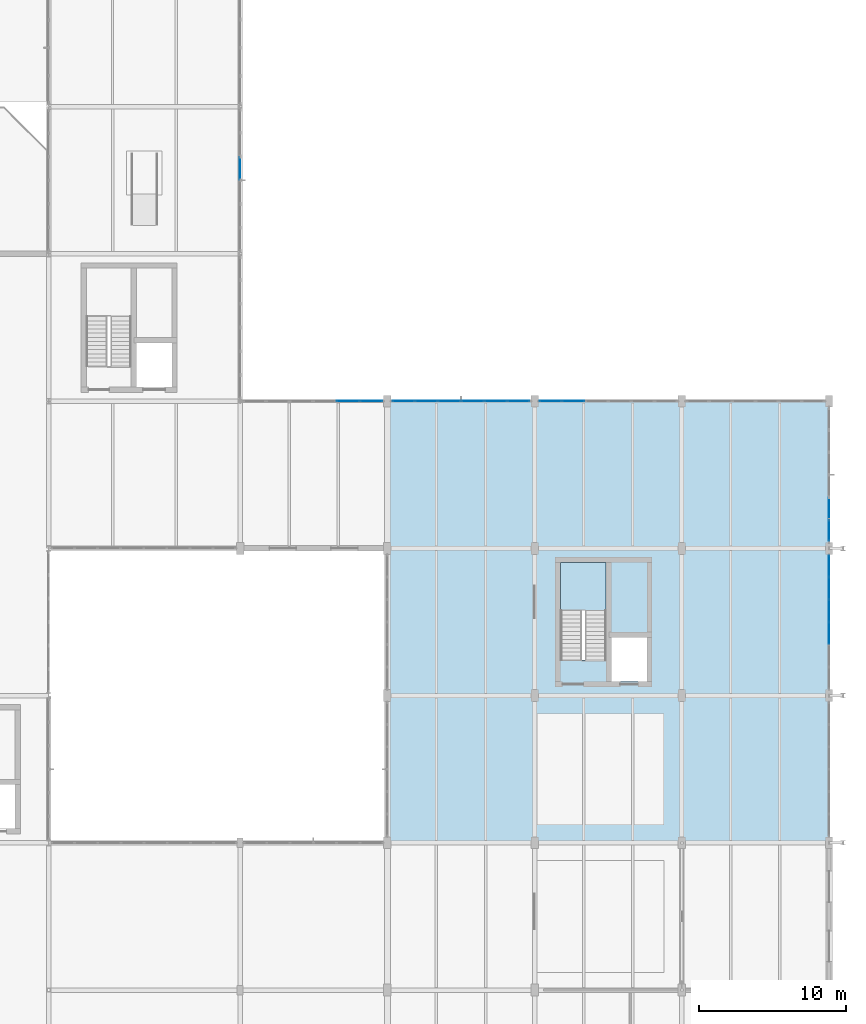
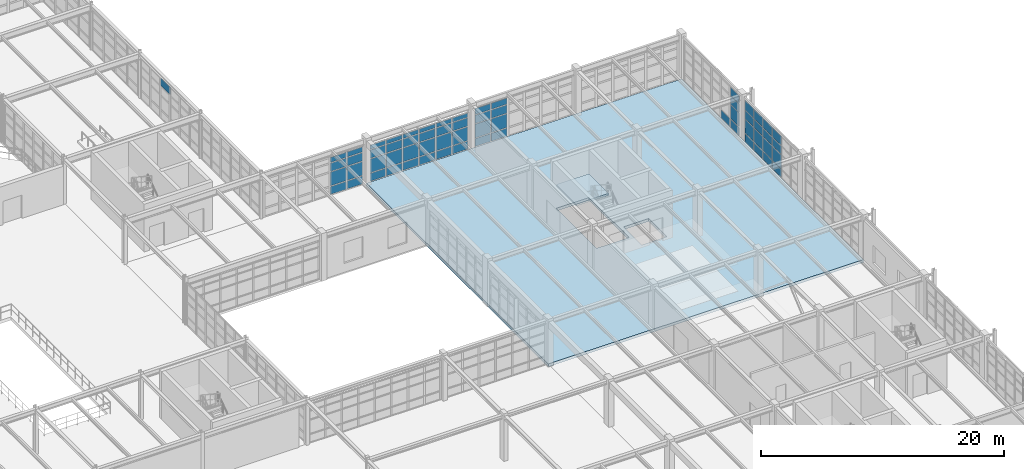
# One storey, part 102 of 139: 62 plates, 2 slabs, 7 elements without a shape of their own.
"""IFC4 building model written with IfcOpenShell, lengths in metres."""

from ifc_helpers import new_model, si_unit, direction, frame, origin, origin_2d, place, context, subcontext, project, spatial, polyline, rectangle, outline, extrude, material, layer, layer_set, type_object, element, aggregate, save


model = new_model("IFC4")

# Units and contexts
model_context = context("Model", 3, precision=1e-05, world=origin(), true_north=direction((0.0, 1.0)))
body_context = subcontext(model_context, "Body", "Model", "MODEL_VIEW")
ifc_project = project(units=[si_unit("LENGTHUNIT", "METRE"), si_unit("AREAUNIT", "SQUARE_METRE"), si_unit("VOLUMEUNIT", "CUBIC_METRE"), si_unit("PLANEANGLEUNIT", "RADIAN"), si_unit("MASSUNIT", "GRAM", prefix="KILO"), si_unit("THERMODYNAMICTEMPERATUREUNIT", "KELVIN"), si_unit("POWERUNIT", "WATT")], contexts=[model_context])

# Site, building, storey
site_placement = place(None, origin())
site = spatial("IfcSite", under=ifc_project, at=site_placement, CompositionType="ELEMENT")
building_placement = place(site_placement, origin())
building = spatial("IfcBuilding", under=site, at=building_placement, Name="Korenveer Ferry Terminal", CompositionType="ELEMENT")
storey_placement = place(building_placement, frame((0.0, 0.0, 5.39990234375)))
storey = spatial("IfcBuildingStorey", under=building, at=storey_placement, Name="L01", CompositionType="ELEMENT", Elevation=5.39990234375)

# Curtain wall, plates
ifc_material_1 = material(Name="Unitised bronze-and-glass curtain wall", Category="glass")
ifc_layer_1 = layer(ifc_material_1, 0.159912109375)
ifc_layer_set_1 = layer_set([ifc_layer_1], Name="Unitised bronze-and-glass curtain wall")
curtain_wall_type_1 = type_object("IfcCurtainWallType", Name="ENV-CW-81", PredefinedType="USERDEFINED", material=ifc_layer_set_1)
curtain_wall_1_placement = place(storey_placement, frame((176.0, 69.570068359375, 0.0)))
curtain_wall_1 = element("IfcCurtainWall", 1, at=curtain_wall_1_placement, inside=storey, type_object=curtain_wall_type_1, Name="Lancet curtain wall CWX-L01-X176-176-Y60-70", ObjectType="UNITISED CURTAIN WALL", PredefinedType="USERDEFINED")
ifc_material_2 = material(Name="Low-iron solar-control double glazing", Category="glass")
ifc_layer_2 = layer(ifc_material_2, 0.028076171875)
ifc_layer_set_2 = layer_set([ifc_layer_2], Name="Low-iron solar-control double glazing")
plate_type_1 = type_object("IfcPlateType", Name="ENV-CWP-GLZ28", PredefinedType="CURTAIN_PANEL", material=ifc_layer_set_2)
plate_1_placement = place(storey_placement, frame((176.0, 68.793212890625, 0.06005859375), z_axis=(0.0, 0.0, 1.0), x_axis=(0.0, -1.0, 0.0)))
plate_1 = element("IfcPlate", 2, at=plate_1_placement, type_object=plate_type_1, Name="CW-81 panel 1.1", PredefinedType="CURTAIN_PANEL", context=body_context, shape_type="SweptSolid", body=[
    extrude(rectangle(XDim=1.433349609375, YDim=0.028076171875, at=origin_2d()), origin(), (0.0, 0.0, 1.0), 0.81005859375),
])
plate_2_placement = place(storey_placement, frame((176.0, 68.793212890625, 0.93017578125), z_axis=(0.0, 0.0, 1.0), x_axis=(0.0, -1.0, 0.0)))
plate_2 = element("IfcPlate", 3, at=plate_2_placement, type_object=plate_type_1, Name="CW-81 panel 1.2", PredefinedType="CURTAIN_PANEL", context=body_context, shape_type="SweptSolid", body=[
    extrude(rectangle(XDim=1.433349609375, YDim=0.028076171875, at=origin_2d()), origin(), (0.0, 0.0, 1.0), 1.389892578125),
])
plate_3_placement = place(storey_placement, frame((176.0, 68.793212890625, 2.3798828125), z_axis=(0.0, 0.0, 1.0), x_axis=(0.0, -1.0, 0.0)))
plate_3 = element("IfcPlate", 4, at=plate_3_placement, type_object=plate_type_1, Name="CW-81 panel 1.3", PredefinedType="CURTAIN_PANEL", context=body_context, shape_type="SweptSolid", body=[
    extrude(rectangle(XDim=1.433349609375, YDim=0.028076171875, at=origin_2d()), origin(), (0.0, 0.0, 1.0), 0.840087890625),
])
plate_4_placement = place(storey_placement, frame((176.0, 68.793212890625, 3.2802734375), z_axis=(0.0, 0.0, 1.0), x_axis=(0.0, -1.0, 0.0)))
plate_4 = element("IfcPlate", 5, at=plate_4_placement, type_object=plate_type_1, Name="CW-81 panel 1.4", PredefinedType="CURTAIN_PANEL", context=body_context, shape_type="SweptSolid", body=[
    extrude(rectangle(XDim=1.433349609375, YDim=0.028076171875, at=origin_2d()), origin(), (0.0, 0.0, 1.0), 0.929931640625),
])
plate_5_placement = place(storey_placement, frame((176.0, 67.284912109375, 0.06005859375), z_axis=(0.0, 0.0, 1.0), x_axis=(0.0, -1.0, 0.0)))
plate_5 = element("IfcPlate", 6, at=plate_5_placement, type_object=plate_type_1, Name="CW-81 panel 2.1", PredefinedType="CURTAIN_PANEL", context=body_context, shape_type="SweptSolid", body=[
    extrude(rectangle(XDim=1.46337890625, YDim=0.028076171875, at=origin_2d()), origin(), (0.0, 0.0, 1.0), 0.81005859375),
])
plate_6_placement = place(storey_placement, frame((176.0, 67.284912109375, 0.93017578125), z_axis=(0.0, 0.0, 1.0), x_axis=(0.0, -1.0, 0.0)))
plate_6 = element("IfcPlate", 7, at=plate_6_placement, type_object=plate_type_1, Name="CW-81 panel 2.2", PredefinedType="CURTAIN_PANEL", context=body_context, shape_type="SweptSolid", body=[
    extrude(rectangle(XDim=1.46337890625, YDim=0.028076171875, at=origin_2d()), origin(), (0.0, 0.0, 1.0), 1.389892578125),
])
plate_7_placement = place(storey_placement, frame((176.0, 67.284912109375, 2.3798828125), z_axis=(0.0, 0.0, 1.0), x_axis=(0.0, -1.0, 0.0)))
plate_7 = element("IfcPlate", 8, at=plate_7_placement, type_object=plate_type_1, Name="CW-81 panel 2.3", PredefinedType="CURTAIN_PANEL", context=body_context, shape_type="SweptSolid", body=[
    extrude(rectangle(XDim=1.46337890625, YDim=0.028076171875, at=origin_2d()), origin(), (0.0, 0.0, 1.0), 0.840087890625),
])
plate_8_placement = place(storey_placement, frame((176.0, 67.284912109375, 3.2802734375), z_axis=(0.0, 0.0, 1.0), x_axis=(0.0, -1.0, 0.0)))
plate_8 = element("IfcPlate", 9, at=plate_8_placement, type_object=plate_type_1, Name="CW-81 panel 2.4", PredefinedType="CURTAIN_PANEL", context=body_context, shape_type="SweptSolid", body=[
    extrude(rectangle(XDim=1.46337890625, YDim=0.028076171875, at=origin_2d()), origin(), (0.0, 0.0, 1.0), 0.929931640625),
])
plate_9_placement = place(storey_placement, frame((176.0, 65.76171875, 0.06005859375), z_axis=(0.0, 0.0, 1.0), x_axis=(0.0, -1.0, 0.0)))
plate_9 = element("IfcPlate", 10, at=plate_9_placement, type_object=plate_type_1, Name="CW-81 panel 3.1", PredefinedType="CURTAIN_PANEL", context=body_context, shape_type="SweptSolid", body=[
    extrude(rectangle(XDim=1.46337890625, YDim=0.028076171875, at=origin_2d()), origin(), (0.0, 0.0, 1.0), 0.81005859375),
])
plate_10_placement = place(storey_placement, frame((176.0, 65.76171875, 0.93017578125), z_axis=(0.0, 0.0, 1.0), x_axis=(0.0, -1.0, 0.0)))
plate_10 = element("IfcPlate", 11, at=plate_10_placement, type_object=plate_type_1, Name="CW-81 panel 3.2", PredefinedType="CURTAIN_PANEL", context=body_context, shape_type="SweptSolid", body=[
    extrude(rectangle(XDim=1.46337890625, YDim=0.028076171875, at=origin_2d()), origin(), (0.0, 0.0, 1.0), 1.389892578125),
])
plate_11_placement = place(storey_placement, frame((176.0, 65.76171875, 2.3798828125), z_axis=(0.0, 0.0, 1.0), x_axis=(0.0, -1.0, 0.0)))
plate_11 = element("IfcPlate", 12, at=plate_11_placement, type_object=plate_type_1, Name="CW-81 panel 3.3", PredefinedType="CURTAIN_PANEL", context=body_context, shape_type="SweptSolid", body=[
    extrude(rectangle(XDim=1.46337890625, YDim=0.028076171875, at=origin_2d()), origin(), (0.0, 0.0, 1.0), 0.840087890625),
])
plate_12_placement = place(storey_placement, frame((176.0, 65.76171875, 3.2802734375), z_axis=(0.0, 0.0, 1.0), x_axis=(0.0, -1.0, 0.0)))
plate_12 = element("IfcPlate", 13, at=plate_12_placement, type_object=plate_type_1, Name="CW-81 panel 3.4", PredefinedType="CURTAIN_PANEL", context=body_context, shape_type="SweptSolid", body=[
    extrude(rectangle(XDim=1.46337890625, YDim=0.028076171875, at=origin_2d()), origin(), (0.0, 0.0, 1.0), 0.929931640625),
])
plate_13_placement = place(storey_placement, frame((176.0, 64.23828125, 0.06005859375), z_axis=(0.0, 0.0, 1.0), x_axis=(0.0, -1.0, 0.0)))
plate_13 = element("IfcPlate", 14, at=plate_13_placement, type_object=plate_type_1, Name="CW-81 panel 4.1", PredefinedType="CURTAIN_PANEL", context=body_context, shape_type="SweptSolid", body=[
    extrude(rectangle(XDim=1.46337890625, YDim=0.028076171875, at=origin_2d()), origin(), (0.0, 0.0, 1.0), 0.81005859375),
])
plate_14_placement = place(storey_placement, frame((176.0, 64.23828125, 0.93017578125), z_axis=(0.0, 0.0, 1.0), x_axis=(0.0, -1.0, 0.0)))
plate_14 = element("IfcPlate", 15, at=plate_14_placement, type_object=plate_type_1, Name="CW-81 panel 4.2", PredefinedType="CURTAIN_PANEL", context=body_context, shape_type="SweptSolid", body=[
    extrude(rectangle(XDim=1.46337890625, YDim=0.028076171875, at=origin_2d()), origin(), (0.0, 0.0, 1.0), 1.389892578125),
])
plate_15_placement = place(storey_placement, frame((176.0, 64.23828125, 2.3798828125), z_axis=(0.0, 0.0, 1.0), x_axis=(0.0, -1.0, 0.0)))
plate_15 = element("IfcPlate", 16, at=plate_15_placement, type_object=plate_type_1, Name="CW-81 panel 4.3", PredefinedType="CURTAIN_PANEL", context=body_context, shape_type="SweptSolid", body=[
    extrude(rectangle(XDim=1.46337890625, YDim=0.028076171875, at=origin_2d()), origin(), (0.0, 0.0, 1.0), 0.840087890625),
])
plate_16_placement = place(storey_placement, frame((176.0, 64.23828125, 3.2802734375), z_axis=(0.0, 0.0, 1.0), x_axis=(0.0, -1.0, 0.0)))
plate_16 = element("IfcPlate", 17, at=plate_16_placement, type_object=plate_type_1, Name="CW-81 panel 4.4", PredefinedType="CURTAIN_PANEL", context=body_context, shape_type="SweptSolid", body=[
    extrude(rectangle(XDim=1.46337890625, YDim=0.028076171875, at=origin_2d()), origin(), (0.0, 0.0, 1.0), 0.929931640625),
])
aggregate(curtain_wall_1, [plate_1, plate_2, plate_3, plate_4, plate_5, plate_6, plate_7, plate_8, plate_9, plate_10, plate_11, plate_12, plate_13, plate_14, plate_15, plate_16])

ifc_layer_3 = layer(ifc_material_1, 0.219970703125)
ifc_layer_set_3 = layer_set([ifc_layer_3], Name="Unitised bronze-and-glass curtain wall")
curtain_wall_type_2 = type_object("IfcCurtainWallType", Name="ENV-CW-53", PredefinedType="USERDEFINED", material=ifc_layer_set_3)
curtain_wall_2_placement = place(storey_placement, frame((136.16650390625, 80.0, 0.0)))
curtain_wall_2 = element("IfcCurtainWall", 18, at=curtain_wall_2_placement, inside=storey, type_object=curtain_wall_type_2, Name="Lancet curtain wall CWX-L01-X136-146-Y80-80", ObjectType="UNITISED CURTAIN WALL", PredefinedType="USERDEFINED")
ifc_material_3 = material(Name="Acoustic laminated marine glazing", Category="glass")
ifc_layer_4 = layer(ifc_material_3, 0.035888671875)
ifc_layer_set_4 = layer_set([ifc_layer_4], Name="Acoustic laminated marine glazing")
plate_type_2 = type_object("IfcPlateType", Name="ENV-CWP-GLZ36", PredefinedType="CURTAIN_PANEL", material=ifc_layer_set_4)
plate_17_placement = place(storey_placement, frame((143.33154296875, 80.0, 0.074951171875), z_axis=(0.0, 0.0, 1.0), x_axis=(1.0, 0.0, 0.0)))
plate_17 = element("IfcPlate", 19, at=plate_17_placement, type_object=plate_type_2, Name="CW-53 panel 5.1", PredefinedType="CURTAIN_PANEL", context=body_context, shape_type="SweptSolid", body=[
    extrude(rectangle(XDim=1.517333984375, YDim=0.035888671875, at=origin_2d()), origin(), (0.0, 0.0, 1.0), 0.78759765625),
])
plate_18_placement = place(storey_placement, frame((143.33154296875, 80.0, 0.9375), z_axis=(0.0, 0.0, 1.0), x_axis=(1.0, 0.0, 0.0)))
plate_18 = element("IfcPlate", 20, at=plate_18_placement, type_object=plate_type_2, Name="CW-53 panel 5.2", PredefinedType="CURTAIN_PANEL", context=body_context, shape_type="SweptSolid", body=[
    extrude(rectangle(XDim=1.517333984375, YDim=0.035888671875, at=origin_2d()), origin(), (0.0, 0.0, 1.0), 1.375),
])
plate_19_placement = place(storey_placement, frame((143.33154296875, 80.0, 2.3876953125), z_axis=(0.0, 0.0, 1.0), x_axis=(1.0, 0.0, 0.0)))
plate_19 = element("IfcPlate", 21, at=plate_19_placement, type_object=plate_type_2, Name="CW-53 panel 5.3", PredefinedType="CURTAIN_PANEL", context=body_context, shape_type="SweptSolid", body=[
    extrude(rectangle(XDim=1.517333984375, YDim=0.035888671875, at=origin_2d()), origin(), (0.0, 0.0, 1.0), 0.824951171875),
])
plate_20_placement = place(storey_placement, frame((143.33154296875, 80.0, 3.28759765625), z_axis=(0.0, 0.0, 1.0), x_axis=(1.0, 0.0, 0.0)))
plate_20 = element("IfcPlate", 22, at=plate_20_placement, type_object=plate_type_2, Name="CW-53 panel 5.4", PredefinedType="CURTAIN_PANEL", context=body_context, shape_type="SweptSolid", body=[
    extrude(rectangle(XDim=1.517333984375, YDim=0.035888671875, at=origin_2d()), origin(), (0.0, 0.0, 1.0), 0.507568359375),
])
plate_21_placement = place(storey_placement, frame((144.905029296875, 80.0, 0.074951171875), z_axis=(0.0, 0.0, 1.0), x_axis=(1.0, 0.0, 0.0)))
plate_21 = element("IfcPlate", 23, at=plate_21_placement, type_object=plate_type_2, Name="CW-53 panel 6.1", PredefinedType="CURTAIN_PANEL", context=body_context, shape_type="SweptSolid", body=[
    extrude(rectangle(XDim=1.479736328125, YDim=0.035888671875, at=origin_2d()), origin(), (0.0, 0.0, 1.0), 0.78759765625),
])
plate_22_placement = place(storey_placement, frame((144.905029296875, 80.0, 0.9375), z_axis=(0.0, 0.0, 1.0), x_axis=(1.0, 0.0, 0.0)))
plate_22 = element("IfcPlate", 24, at=plate_22_placement, type_object=plate_type_2, Name="CW-53 panel 6.2", PredefinedType="CURTAIN_PANEL", context=body_context, shape_type="SweptSolid", body=[
    extrude(rectangle(XDim=1.479736328125, YDim=0.035888671875, at=origin_2d()), origin(), (0.0, 0.0, 1.0), 1.375),
])
plate_23_placement = place(storey_placement, frame((144.905029296875, 80.0, 2.3876953125), z_axis=(0.0, 0.0, 1.0), x_axis=(1.0, 0.0, 0.0)))
plate_23 = element("IfcPlate", 25, at=plate_23_placement, type_object=plate_type_2, Name="CW-53 panel 6.3", PredefinedType="CURTAIN_PANEL", context=body_context, shape_type="SweptSolid", body=[
    extrude(rectangle(XDim=1.479736328125, YDim=0.035888671875, at=origin_2d()), origin(), (0.0, 0.0, 1.0), 0.824951171875),
])
plate_24_placement = place(storey_placement, frame((144.905029296875, 80.0, 3.28759765625), z_axis=(0.0, 0.0, 1.0), x_axis=(1.0, 0.0, 0.0)))
plate_24 = element("IfcPlate", 26, at=plate_24_placement, type_object=plate_type_2, Name="CW-53 panel 6.4", PredefinedType="CURTAIN_PANEL", context=body_context, shape_type="SweptSolid", body=[
    extrude(rectangle(XDim=1.479736328125, YDim=0.035888671875, at=origin_2d()), origin(), (0.0, 0.0, 1.0), 0.507568359375),
])
aggregate(curtain_wall_2, [plate_17, plate_18, plate_19, plate_20, plate_21, plate_22, plate_23, plate_24])

ifc_layer_5 = layer(ifc_material_1, 0.219970703125)
ifc_layer_set_5 = layer_set([ifc_layer_5], Name="Unitised bronze-and-glass curtain wall")
curtain_wall_type_3 = type_object("IfcCurtainWallType", Name="ENV-CW-48", PredefinedType="USERDEFINED", material=ifc_layer_set_5)
curtain_wall_3_placement = place(storey_placement, frame((146.280029296875, 80.0, 0.0)))
curtain_wall_3 = element("IfcCurtainWall", 27, at=curtain_wall_3_placement, inside=storey, type_object=curtain_wall_type_3, Name="Lancet curtain wall CWX-L01-X146-156-Y80-80", ObjectType="UNITISED CURTAIN WALL", PredefinedType="USERDEFINED")
plate_25_placement = place(storey_placement, frame((147.08544921875, 80.0, 0.074951171875), z_axis=(0.0, 0.0, 1.0), x_axis=(1.0, 0.0, 0.0)))
plate_25 = element("IfcPlate", 28, at=plate_25_placement, type_object=plate_type_2, Name="CW-48 panel 1.1", PredefinedType="CURTAIN_PANEL", context=body_context, shape_type="SweptSolid", body=[
    extrude(rectangle(XDim=1.4609375, YDim=0.035888671875, at=origin_2d()), origin(), (0.0, 0.0, 1.0), 0.78759765625),
])
plate_26_placement = place(storey_placement, frame((147.08544921875, 80.0, 0.9375), z_axis=(0.0, 0.0, 1.0), x_axis=(1.0, 0.0, 0.0)))
plate_26 = element("IfcPlate", 29, at=plate_26_placement, type_object=plate_type_2, Name="CW-48 panel 1.2", PredefinedType="CURTAIN_PANEL", context=body_context, shape_type="SweptSolid", body=[
    extrude(rectangle(XDim=1.4609375, YDim=0.035888671875, at=origin_2d()), origin(), (0.0, 0.0, 1.0), 1.375),
])
plate_27_placement = place(storey_placement, frame((147.08544921875, 80.0, 2.3876953125), z_axis=(0.0, 0.0, 1.0), x_axis=(1.0, 0.0, 0.0)))
plate_27 = element("IfcPlate", 30, at=plate_27_placement, type_object=plate_type_2, Name="CW-48 panel 1.3", PredefinedType="CURTAIN_PANEL", context=body_context, shape_type="SweptSolid", body=[
    extrude(rectangle(XDim=1.4609375, YDim=0.035888671875, at=origin_2d()), origin(), (0.0, 0.0, 1.0), 0.824951171875),
])
plate_28_placement = place(storey_placement, frame((147.08544921875, 80.0, 3.28759765625), z_axis=(0.0, 0.0, 1.0), x_axis=(1.0, 0.0, 0.0)))
plate_28 = element("IfcPlate", 31, at=plate_28_placement, type_object=plate_type_2, Name="CW-48 panel 1.4", PredefinedType="CURTAIN_PANEL", context=body_context, shape_type="SweptSolid", body=[
    extrude(rectangle(XDim=1.4609375, YDim=0.035888671875, at=origin_2d()), origin(), (0.0, 0.0, 1.0), 0.407470703125),
])
plate_29_placement = place(storey_placement, frame((148.639892578125, 80.0, 0.074951171875), z_axis=(0.0, 0.0, 1.0), x_axis=(1.0, 0.0, 0.0)))
plate_29 = element("IfcPlate", 32, at=plate_29_placement, type_object=plate_type_2, Name="CW-48 panel 2.1", PredefinedType="CURTAIN_PANEL", context=body_context, shape_type="SweptSolid", body=[
    extrude(rectangle(XDim=1.498291015625, YDim=0.035888671875, at=origin_2d()), origin(), (0.0, 0.0, 1.0), 0.78759765625),
])
plate_30_placement = place(storey_placement, frame((148.639892578125, 80.0, 0.9375), z_axis=(0.0, 0.0, 1.0), x_axis=(1.0, 0.0, 0.0)))
plate_30 = element("IfcPlate", 33, at=plate_30_placement, type_object=plate_type_2, Name="CW-48 panel 2.2", PredefinedType="CURTAIN_PANEL", context=body_context, shape_type="SweptSolid", body=[
    extrude(rectangle(XDim=1.498291015625, YDim=0.035888671875, at=origin_2d()), origin(), (0.0, 0.0, 1.0), 1.375),
])
plate_31_placement = place(storey_placement, frame((148.639892578125, 80.0, 2.3876953125), z_axis=(0.0, 0.0, 1.0), x_axis=(1.0, 0.0, 0.0)))
plate_31 = element("IfcPlate", 34, at=plate_31_placement, type_object=plate_type_2, Name="CW-48 panel 2.3", PredefinedType="CURTAIN_PANEL", context=body_context, shape_type="SweptSolid", body=[
    extrude(rectangle(XDim=1.498291015625, YDim=0.035888671875, at=origin_2d()), origin(), (0.0, 0.0, 1.0), 0.824951171875),
])
plate_32_placement = place(storey_placement, frame((148.639892578125, 80.0, 3.28759765625), z_axis=(0.0, 0.0, 1.0), x_axis=(1.0, 0.0, 0.0)))
plate_32 = element("IfcPlate", 35, at=plate_32_placement, type_object=plate_type_2, Name="CW-48 panel 2.4", PredefinedType="CURTAIN_PANEL", context=body_context, shape_type="SweptSolid", body=[
    extrude(rectangle(XDim=1.498291015625, YDim=0.035888671875, at=origin_2d()), origin(), (0.0, 0.0, 1.0), 0.407470703125),
])
plate_33_placement = place(storey_placement, frame((150.21337890625, 80.0, 0.074951171875), z_axis=(0.0, 0.0, 1.0), x_axis=(1.0, 0.0, 0.0)))
plate_33 = element("IfcPlate", 36, at=plate_33_placement, type_object=plate_type_2, Name="CW-48 panel 3.1", PredefinedType="CURTAIN_PANEL", context=body_context, shape_type="SweptSolid", body=[
    extrude(rectangle(XDim=1.498291015625, YDim=0.035888671875, at=origin_2d()), origin(), (0.0, 0.0, 1.0), 0.78759765625),
])
plate_34_placement = place(storey_placement, frame((150.21337890625, 80.0, 0.9375), z_axis=(0.0, 0.0, 1.0), x_axis=(1.0, 0.0, 0.0)))
plate_34 = element("IfcPlate", 37, at=plate_34_placement, type_object=plate_type_2, Name="CW-48 panel 3.2", PredefinedType="CURTAIN_PANEL", context=body_context, shape_type="SweptSolid", body=[
    extrude(rectangle(XDim=1.498291015625, YDim=0.035888671875, at=origin_2d()), origin(), (0.0, 0.0, 1.0), 1.375),
])
plate_35_placement = place(storey_placement, frame((150.21337890625, 80.0, 2.3876953125), z_axis=(0.0, 0.0, 1.0), x_axis=(1.0, 0.0, 0.0)))
plate_35 = element("IfcPlate", 38, at=plate_35_placement, type_object=plate_type_2, Name="CW-48 panel 3.3", PredefinedType="CURTAIN_PANEL", context=body_context, shape_type="SweptSolid", body=[
    extrude(rectangle(XDim=1.498291015625, YDim=0.035888671875, at=origin_2d()), origin(), (0.0, 0.0, 1.0), 0.824951171875),
])
plate_36_placement = place(storey_placement, frame((150.21337890625, 80.0, 3.28759765625), z_axis=(0.0, 0.0, 1.0), x_axis=(1.0, 0.0, 0.0)))
plate_36 = element("IfcPlate", 39, at=plate_36_placement, type_object=plate_type_2, Name="CW-48 panel 3.4", PredefinedType="CURTAIN_PANEL", context=body_context, shape_type="SweptSolid", body=[
    extrude(rectangle(XDim=1.498291015625, YDim=0.035888671875, at=origin_2d()), origin(), (0.0, 0.0, 1.0), 0.407470703125),
])
plate_37_placement = place(storey_placement, frame((151.78662109375, 80.0, 0.074951171875), z_axis=(0.0, 0.0, 1.0), x_axis=(1.0, 0.0, 0.0)))
plate_37 = element("IfcPlate", 40, at=plate_37_placement, type_object=plate_type_2, Name="CW-48 panel 4.1", PredefinedType="CURTAIN_PANEL", context=body_context, shape_type="SweptSolid", body=[
    extrude(rectangle(XDim=1.498291015625, YDim=0.035888671875, at=origin_2d()), origin(), (0.0, 0.0, 1.0), 0.78759765625),
])
plate_38_placement = place(storey_placement, frame((151.78662109375, 80.0, 0.9375), z_axis=(0.0, 0.0, 1.0), x_axis=(1.0, 0.0, 0.0)))
plate_38 = element("IfcPlate", 41, at=plate_38_placement, type_object=plate_type_2, Name="CW-48 panel 4.2", PredefinedType="CURTAIN_PANEL", context=body_context, shape_type="SweptSolid", body=[
    extrude(rectangle(XDim=1.498291015625, YDim=0.035888671875, at=origin_2d()), origin(), (0.0, 0.0, 1.0), 1.375),
])
plate_39_placement = place(storey_placement, frame((151.78662109375, 80.0, 2.3876953125), z_axis=(0.0, 0.0, 1.0), x_axis=(1.0, 0.0, 0.0)))
plate_39 = element("IfcPlate", 42, at=plate_39_placement, type_object=plate_type_2, Name="CW-48 panel 4.3", PredefinedType="CURTAIN_PANEL", context=body_context, shape_type="SweptSolid", body=[
    extrude(rectangle(XDim=1.498291015625, YDim=0.035888671875, at=origin_2d()), origin(), (0.0, 0.0, 1.0), 0.824951171875),
])
plate_40_placement = place(storey_placement, frame((151.78662109375, 80.0, 3.28759765625), z_axis=(0.0, 0.0, 1.0), x_axis=(1.0, 0.0, 0.0)))
plate_40 = element("IfcPlate", 43, at=plate_40_placement, type_object=plate_type_2, Name="CW-48 panel 4.4", PredefinedType="CURTAIN_PANEL", context=body_context, shape_type="SweptSolid", body=[
    extrude(rectangle(XDim=1.498291015625, YDim=0.035888671875, at=origin_2d()), origin(), (0.0, 0.0, 1.0), 0.407470703125),
])
plate_41_placement = place(storey_placement, frame((153.360107421875, 80.0, 0.074951171875), z_axis=(0.0, 0.0, 1.0), x_axis=(1.0, 0.0, 0.0)))
plate_41 = element("IfcPlate", 44, at=plate_41_placement, type_object=plate_type_2, Name="CW-48 panel 5.1", PredefinedType="CURTAIN_PANEL", context=body_context, shape_type="SweptSolid", body=[
    extrude(rectangle(XDim=1.498291015625, YDim=0.035888671875, at=origin_2d()), origin(), (0.0, 0.0, 1.0), 0.78759765625),
])
plate_42_placement = place(storey_placement, frame((153.360107421875, 80.0, 0.9375), z_axis=(0.0, 0.0, 1.0), x_axis=(1.0, 0.0, 0.0)))
plate_42 = element("IfcPlate", 45, at=plate_42_placement, type_object=plate_type_2, Name="CW-48 panel 5.2", PredefinedType="CURTAIN_PANEL", context=body_context, shape_type="SweptSolid", body=[
    extrude(rectangle(XDim=1.498291015625, YDim=0.035888671875, at=origin_2d()), origin(), (0.0, 0.0, 1.0), 1.375),
])
plate_43_placement = place(storey_placement, frame((153.360107421875, 80.0, 2.3876953125), z_axis=(0.0, 0.0, 1.0), x_axis=(1.0, 0.0, 0.0)))
plate_43 = element("IfcPlate", 46, at=plate_43_placement, type_object=plate_type_2, Name="CW-48 panel 5.3", PredefinedType="CURTAIN_PANEL", context=body_context, shape_type="SweptSolid", body=[
    extrude(rectangle(XDim=1.498291015625, YDim=0.035888671875, at=origin_2d()), origin(), (0.0, 0.0, 1.0), 0.824951171875),
])
plate_44_placement = place(storey_placement, frame((153.360107421875, 80.0, 3.28759765625), z_axis=(0.0, 0.0, 1.0), x_axis=(1.0, 0.0, 0.0)))
plate_44 = element("IfcPlate", 47, at=plate_44_placement, type_object=plate_type_2, Name="CW-48 panel 5.4", PredefinedType="CURTAIN_PANEL", context=body_context, shape_type="SweptSolid", body=[
    extrude(rectangle(XDim=1.498291015625, YDim=0.035888671875, at=origin_2d()), origin(), (0.0, 0.0, 1.0), 0.407470703125),
])
plate_45_placement = place(storey_placement, frame((154.91455078125, 80.0, 0.074951171875), z_axis=(0.0, 0.0, 1.0), x_axis=(1.0, 0.0, 0.0)))
plate_45 = element("IfcPlate", 48, at=plate_45_placement, type_object=plate_type_2, Name="CW-48 panel 6.1", PredefinedType="CURTAIN_PANEL", context=body_context, shape_type="SweptSolid", body=[
    extrude(rectangle(XDim=1.4609375, YDim=0.035888671875, at=origin_2d()), origin(), (0.0, 0.0, 1.0), 0.78759765625),
])
plate_46_placement = place(storey_placement, frame((154.91455078125, 80.0, 0.9375), z_axis=(0.0, 0.0, 1.0), x_axis=(1.0, 0.0, 0.0)))
plate_46 = element("IfcPlate", 49, at=plate_46_placement, type_object=plate_type_2, Name="CW-48 panel 6.2", PredefinedType="CURTAIN_PANEL", context=body_context, shape_type="SweptSolid", body=[
    extrude(rectangle(XDim=1.4609375, YDim=0.035888671875, at=origin_2d()), origin(), (0.0, 0.0, 1.0), 1.375),
])
plate_47_placement = place(storey_placement, frame((154.91455078125, 80.0, 2.3876953125), z_axis=(0.0, 0.0, 1.0), x_axis=(1.0, 0.0, 0.0)))
plate_47 = element("IfcPlate", 50, at=plate_47_placement, type_object=plate_type_2, Name="CW-48 panel 6.3", PredefinedType="CURTAIN_PANEL", context=body_context, shape_type="SweptSolid", body=[
    extrude(rectangle(XDim=1.4609375, YDim=0.035888671875, at=origin_2d()), origin(), (0.0, 0.0, 1.0), 0.824951171875),
])
plate_48_placement = place(storey_placement, frame((154.91455078125, 80.0, 3.28759765625), z_axis=(0.0, 0.0, 1.0), x_axis=(1.0, 0.0, 0.0)))
plate_48 = element("IfcPlate", 51, at=plate_48_placement, type_object=plate_type_2, Name="CW-48 panel 6.4", PredefinedType="CURTAIN_PANEL", context=body_context, shape_type="SweptSolid", body=[
    extrude(rectangle(XDim=1.4609375, YDim=0.035888671875, at=origin_2d()), origin(), (0.0, 0.0, 1.0), 0.407470703125),
])
aggregate(curtain_wall_3, [plate_25, plate_26, plate_27, plate_28, plate_29, plate_30, plate_31, plate_32, plate_33, plate_34, plate_35, plate_36, plate_37, plate_38, plate_39, plate_40, plate_41, plate_42, plate_43, plate_44, plate_45, plate_46, plate_47, plate_48])

ifc_layer_6 = layer(ifc_material_1, 0.219970703125)
ifc_layer_set_6 = layer_set([ifc_layer_6], Name="Unitised bronze-and-glass curtain wall")
curtain_wall_type_4 = type_object("IfcCurtainWallType", Name="ENV-CW-49", PredefinedType="USERDEFINED", material=ifc_layer_set_6)
curtain_wall_4_placement = place(storey_placement, frame((156.280029296875, 80.0, 0.0)))
curtain_wall_4 = element("IfcCurtainWall", 52, at=curtain_wall_4_placement, inside=storey, type_object=curtain_wall_type_4, Name="Lancet curtain wall CWX-L01-X156-166-Y80-80", ObjectType="UNITISED CURTAIN WALL", PredefinedType="USERDEFINED")
plate_49_placement = place(storey_placement, frame((157.08544921875, 80.0, 0.074951171875), z_axis=(0.0, 0.0, 1.0), x_axis=(1.0, 0.0, 0.0)))
plate_49 = element("IfcPlate", 53, at=plate_49_placement, type_object=plate_type_2, Name="CW-49 panel 1.1", PredefinedType="CURTAIN_PANEL", context=body_context, shape_type="SweptSolid", body=[
    extrude(rectangle(XDim=1.4609375, YDim=0.035888671875, at=origin_2d()), origin(), (0.0, 0.0, 1.0), 0.78759765625),
])
plate_50_placement = place(storey_placement, frame((157.08544921875, 80.0, 0.9375), z_axis=(0.0, 0.0, 1.0), x_axis=(1.0, 0.0, 0.0)))
plate_50 = element("IfcPlate", 54, at=plate_50_placement, type_object=plate_type_2, Name="CW-49 panel 1.2", PredefinedType="CURTAIN_PANEL", context=body_context, shape_type="SweptSolid", body=[
    extrude(rectangle(XDim=1.4609375, YDim=0.035888671875, at=origin_2d()), origin(), (0.0, 0.0, 1.0), 1.375),
])
plate_51_placement = place(storey_placement, frame((157.08544921875, 80.0, 2.3876953125), z_axis=(0.0, 0.0, 1.0), x_axis=(1.0, 0.0, 0.0)))
plate_51 = element("IfcPlate", 55, at=plate_51_placement, type_object=plate_type_2, Name="CW-49 panel 1.3", PredefinedType="CURTAIN_PANEL", context=body_context, shape_type="SweptSolid", body=[
    extrude(rectangle(XDim=1.4609375, YDim=0.035888671875, at=origin_2d()), origin(), (0.0, 0.0, 1.0), 0.824951171875),
])
plate_52_placement = place(storey_placement, frame((157.08544921875, 80.0, 3.28759765625), z_axis=(0.0, 0.0, 1.0), x_axis=(1.0, 0.0, 0.0)))
plate_52 = element("IfcPlate", 56, at=plate_52_placement, type_object=plate_type_2, Name="CW-49 panel 1.4", PredefinedType="CURTAIN_PANEL", context=body_context, shape_type="SweptSolid", body=[
    extrude(rectangle(XDim=1.4609375, YDim=0.035888671875, at=origin_2d()), origin(), (0.0, 0.0, 1.0), 0.607421875),
])
plate_53_placement = place(storey_placement, frame((158.639892578125, 80.0, 0.074951171875), z_axis=(0.0, 0.0, 1.0), x_axis=(1.0, 0.0, 0.0)))
plate_53 = element("IfcPlate", 57, at=plate_53_placement, type_object=plate_type_2, Name="CW-49 panel 2.1", PredefinedType="CURTAIN_PANEL", context=body_context, shape_type="SweptSolid", body=[
    extrude(rectangle(XDim=1.498291015625, YDim=0.035888671875, at=origin_2d()), origin(), (0.0, 0.0, 1.0), 0.78759765625),
])
plate_54_placement = place(storey_placement, frame((158.639892578125, 80.0, 0.9375), z_axis=(0.0, 0.0, 1.0), x_axis=(1.0, 0.0, 0.0)))
plate_54 = element("IfcPlate", 58, at=plate_54_placement, type_object=plate_type_2, Name="CW-49 panel 2.2", PredefinedType="CURTAIN_PANEL", context=body_context, shape_type="SweptSolid", body=[
    extrude(rectangle(XDim=1.498291015625, YDim=0.035888671875, at=origin_2d()), origin(), (0.0, 0.0, 1.0), 1.375),
])
plate_55_placement = place(storey_placement, frame((158.639892578125, 80.0, 2.3876953125), z_axis=(0.0, 0.0, 1.0), x_axis=(1.0, 0.0, 0.0)))
plate_55 = element("IfcPlate", 59, at=plate_55_placement, type_object=plate_type_2, Name="CW-49 panel 2.3", PredefinedType="CURTAIN_PANEL", context=body_context, shape_type="SweptSolid", body=[
    extrude(rectangle(XDim=1.498291015625, YDim=0.035888671875, at=origin_2d()), origin(), (0.0, 0.0, 1.0), 0.824951171875),
])
plate_56_placement = place(storey_placement, frame((158.639892578125, 80.0, 3.28759765625), z_axis=(0.0, 0.0, 1.0), x_axis=(1.0, 0.0, 0.0)))
plate_56 = element("IfcPlate", 60, at=plate_56_placement, type_object=plate_type_2, Name="CW-49 panel 2.4", PredefinedType="CURTAIN_PANEL", context=body_context, shape_type="SweptSolid", body=[
    extrude(rectangle(XDim=1.498291015625, YDim=0.035888671875, at=origin_2d()), origin(), (0.0, 0.0, 1.0), 0.607421875),
])
aggregate(curtain_wall_4, [plate_49, plate_50, plate_51, plate_52, plate_53, plate_54, plate_55, plate_56])

# Curtain wall, plate
ifc_layer_7 = layer(ifc_material_1, 0.219970703125)
ifc_layer_set_7 = layer_set([ifc_layer_7], Name="Unitised bronze-and-glass curtain wall")
curtain_wall_type_5 = type_object("IfcCurtainWallType", Name="ENV-CW-76", PredefinedType="USERDEFINED", material=ifc_layer_set_7)
curtain_wall_5_placement = place(storey_placement, frame((136.0, 99.83349609375, 0.0)))
curtain_wall_5 = element("IfcCurtainWall", 61, at=curtain_wall_5_placement, inside=storey, type_object=curtain_wall_type_5, Name="Lancet curtain wall CWX-L01-X136-136-Y90-100", ObjectType="UNITISED CURTAIN WALL", PredefinedType="USERDEFINED")
plate_57_placement = place(storey_placement, frame((136.0, 95.8056640625, 3.28759765625), z_axis=(0.0, 0.0, 1.0), x_axis=(0.0, -1.0, 0.0)))
plate_57 = element("IfcPlate", 62, at=plate_57_placement, type_object=plate_type_2, Name="CW-76 panel 3.4", PredefinedType="CURTAIN_PANEL", context=body_context, shape_type="SweptSolid", body=[
    extrude(rectangle(XDim=1.5361328125, YDim=0.035888671875, at=origin_2d()), origin(), (0.0, 0.0, 1.0), 0.767578125),
])
aggregate(curtain_wall_5, [plate_57])

# Curtain wall, plates
ifc_layer_8 = layer(ifc_material_1, 0.219970703125)
ifc_layer_set_8 = layer_set([ifc_layer_8], Name="Unitised bronze-and-glass curtain wall")
curtain_wall_type_6 = type_object("IfcCurtainWallType", Name="ENV-CW-61", PredefinedType="USERDEFINED", material=ifc_layer_set_8)
curtain_wall_6_placement = place(storey_placement, frame((176.0, 79.570068359375, 0.0)))
curtain_wall_6 = element("IfcCurtainWall", 63, at=curtain_wall_6_placement, inside=storey, type_object=curtain_wall_type_6, Name="Lancet curtain wall CWX-L01-X176-176-Y70-80", ObjectType="UNITISED CURTAIN WALL", PredefinedType="USERDEFINED")
plate_58_placement = place(storey_placement, frame((176.0, 72.715087890625, 0.074951171875), z_axis=(0.0, 0.0, 1.0), x_axis=(0.0, -1.0, 0.0)))
plate_58 = element("IfcPlate", 64, at=plate_58_placement, type_object=plate_type_2, Name="CW-61 panel 5.1", PredefinedType="CURTAIN_PANEL", context=body_context, shape_type="SweptSolid", body=[
    extrude(rectangle(XDim=1.4482421875, YDim=0.035888671875, at=origin_2d()), origin(), (0.0, 0.0, 1.0), 0.78759765625),
])
plate_59_placement = place(storey_placement, frame((176.0, 71.21044921875, 0.074951171875), z_axis=(0.0, 0.0, 1.0), x_axis=(0.0, -1.0, 0.0)))
plate_59 = element("IfcPlate", 65, at=plate_59_placement, type_object=plate_type_2, Name="CW-61 panel 6.1", PredefinedType="CURTAIN_PANEL", context=body_context, shape_type="SweptSolid", body=[
    extrude(rectangle(XDim=1.410888671875, YDim=0.035888671875, at=origin_2d()), origin(), (0.0, 0.0, 1.0), 0.78759765625),
])
plate_60_placement = place(storey_placement, frame((176.0, 71.21044921875, 0.9375), z_axis=(0.0, 0.0, 1.0), x_axis=(0.0, -1.0, 0.0)))
plate_60 = element("IfcPlate", 66, at=plate_60_placement, type_object=plate_type_2, Name="CW-61 panel 6.2", PredefinedType="CURTAIN_PANEL", context=body_context, shape_type="SweptSolid", body=[
    extrude(rectangle(XDim=1.410888671875, YDim=0.035888671875, at=origin_2d()), origin(), (0.0, 0.0, 1.0), 1.375),
])
plate_61_placement = place(storey_placement, frame((176.0, 71.21044921875, 2.3876953125), z_axis=(0.0, 0.0, 1.0), x_axis=(0.0, -1.0, 0.0)))
plate_61 = element("IfcPlate", 67, at=plate_61_placement, type_object=plate_type_2, Name="CW-61 panel 6.3", PredefinedType="CURTAIN_PANEL", context=body_context, shape_type="SweptSolid", body=[
    extrude(rectangle(XDim=1.410888671875, YDim=0.035888671875, at=origin_2d()), origin(), (0.0, 0.0, 1.0), 0.824951171875),
])
plate_62_placement = place(storey_placement, frame((176.0, 71.21044921875, 3.28759765625), z_axis=(0.0, 0.0, 1.0), x_axis=(0.0, -1.0, 0.0)))
plate_62 = element("IfcPlate", 68, at=plate_62_placement, type_object=plate_type_2, Name="CW-61 panel 6.4", PredefinedType="CURTAIN_PANEL", context=body_context, shape_type="SweptSolid", body=[
    extrude(rectangle(XDim=1.410888671875, YDim=0.035888671875, at=origin_2d()), origin(), (0.0, 0.0, 1.0), 0.8076171875),
])
aggregate(curtain_wall_6, [plate_58, plate_59, plate_60, plate_61, plate_62])

# Stair, slab
ifc_material_4 = material(Name="Concrete C40/50", Category="concrete")
stair_type = type_object("IfcStairType", Name="INT-ST-02", PredefinedType="HALF_TURN_STAIR", material=ifc_material_4)
stair_placement = place(storey_placement, frame((160.135009765625, 62.409912109375, 0.0)))
stair = element("IfcStair", 69, at=stair_placement, inside=storey, type_object=stair_type, Name="L01 East Schengen Core K4", PredefinedType="HALF_TURN_STAIR")
ifc_layer_9 = layer(ifc_material_4, 0.199951171875)
ifc_layer_set_9 = layer_set([ifc_layer_9], Name="Concrete C40/50")
slab_type_1 = type_object("IfcSlabType", Name="INT-SL-LAND200", PredefinedType="LANDING", material=ifc_layer_set_9)
slab_1_placement = place(storey_placement, frame((0.0, 0.0, 2.2001953125)))
slab_1 = element("IfcSlab", 70, at=slab_1_placement, type_object=slab_type_1, Name="ST04 landing 1", PredefinedType="LANDING", context=body_context, shape_type="SweptSolid", body=[
    extrude(outline(polyline([(160.860107421875, 65.77001953125), (160.860107421875, 69.0400390625), (157.760009765625, 69.0400390625), (157.760009765625, 65.77001953125), (160.860107421875, 65.77001953125)])), origin(), (0.0, 0.0, 1.0), 0.199951171875),
])
aggregate(stair, [slab_1])

# Slab
ifc_material_5 = material(Name="Concrete C35/45", Category="concrete")
ifc_layer_10 = layer(ifc_material_5, 0.280029296875)
ifc_layer_set_10 = layer_set([ifc_layer_10], Name="Concrete C35/45")
slab_type_2 = type_object("IfcSlabType", Name="STR-SL-FLR280", PredefinedType="FLOOR", material=ifc_layer_set_10)
slab_2_placement = place(storey_placement, frame((0.0, 0.0, -0.27978515625)))
element("IfcSlab", 71, at=slab_2_placement, inside=storey, type_object=slab_type_2, Name="Floor slab SL-L01-E2", PredefinedType="FLOOR", context=body_context, shape_type="SweptSolid", body=[
    extrude(outline(polyline([(146.0, 50.0), (176.0, 50.0), (176.0, 80.0), (146.0, 80.0), (146.0, 50.0)]), holes=[polyline([(160.860107421875, 62.409912109375), (160.860107421875, 69.0400390625), (157.760009765625, 69.0400390625), (157.760009765625, 62.409912109375), (160.860107421875, 62.409912109375)]), polyline([(161.219970703125, 60.9599609375), (163.6201171875, 60.9599609375), (163.6201171875, 63.9599609375), (161.219970703125, 63.9599609375), (161.219970703125, 60.9599609375)])]), origin(), (0.0, 0.0, 1.0), 0.27978515625),
])

save(model, "model.ifc")
